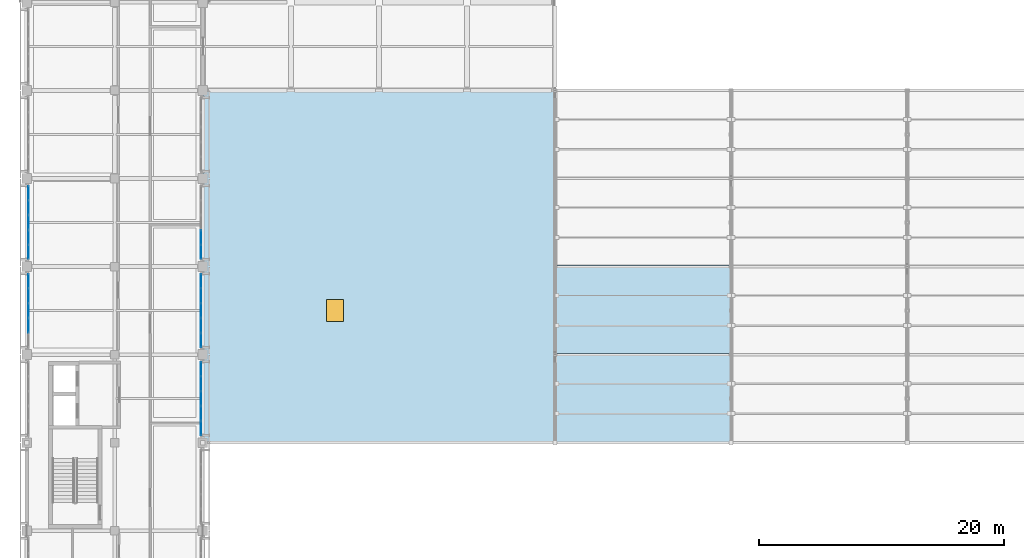
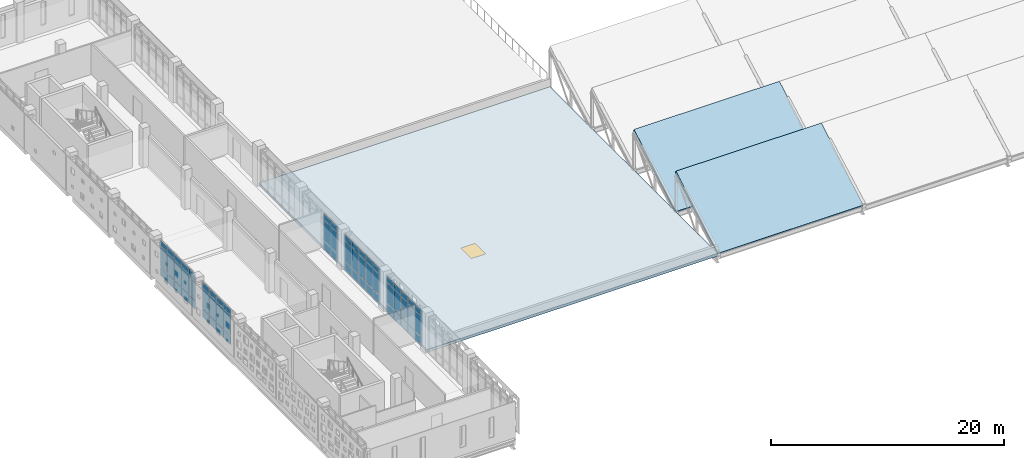
# One storey, part 26 of 51: 63 plates, 3 slabs, 1 window, 1 opening, 5 elements without a shape of their own.
"""IFC4 building model written with IfcOpenShell, lengths in metres."""

from ifc_helpers import new_model, si_unit, direction, frame, origin, origin_2d, place, context, subcontext, project, spatial, polyline, rectangle, outline, extrude, material, layer, layer_set, type_object, element, fill, aggregate, save


model = new_model("IFC4")

# Units and contexts
model_context = context("Model", 3, precision=1e-05, world=origin(), true_north=direction((0.0, 1.0)))
body_context = subcontext(model_context, "Body", "Model", "MODEL_VIEW")
ifc_project = project(units=[si_unit("LENGTHUNIT", "METRE"), si_unit("AREAUNIT", "SQUARE_METRE"), si_unit("VOLUMEUNIT", "CUBIC_METRE"), si_unit("PLANEANGLEUNIT", "RADIAN"), si_unit("MASSUNIT", "GRAM", prefix="KILO")], contexts=[model_context])

# Site, building, storey
site_placement = place(None, origin())
site = spatial("IfcSite", under=ifc_project, at=site_placement, CompositionType="ELEMENT")
building_placement = place(site_placement, origin())
building = spatial("IfcBuilding", under=site, at=building_placement, Name="Valkovuoma Quantum and Materials Research Institute", CompositionType="ELEMENT")
storey_placement = place(building_placement, frame((0.0, 0.0, 17.280029296875)))
storey = spatial("IfcBuildingStorey", under=building, at=storey_placement, Name="L04", CompositionType="ELEMENT", Elevation=17.280029296875)

# Curtain wall, plates
ifc_material_1 = material(Name="Thermally broken aluminium and triple low-E glazing", Category="aluminium")
ifc_layer_1 = layer(ifc_material_1, 0.219970703125)
ifc_layer_set_1 = layer_set([ifc_layer_1], Name="Thermally broken aluminium and triple low-E glazing")
curtain_wall_type = type_object("IfcCurtainWallType", Name="CW-CW-01", PredefinedType="NOTDEFINED", material=ifc_layer_set_1)
curtain_wall_1_placement = place(storey_placement, origin())
curtain_wall_1 = element("IfcCurtainWall", 1, at=curtain_wall_1_placement, inside=storey, type_object=curtain_wall_type, Name="L04 curtain wall 043", PredefinedType="NOTDEFINED")
ifc_material_2 = material(Name="Triple low-E argon insulating glass", Category="glass")
ifc_layer_2 = layer(ifc_material_2, 0.035888671875)
ifc_layer_set_2 = layer_set([ifc_layer_2], Name="Triple low-E argon insulating glass")
plate_type_1 = type_object("IfcPlateType", Name="CWPanel-CWP-01", PredefinedType="CURTAIN_PANEL", material=ifc_layer_set_2)
plate_1_placement = place(storey_placement, frame((0.14990234375, 45.582763671875, 0.06494140625), z_axis=(0.0, 0.0, 1.0), x_axis=(0.0, 1.0, 0.0)))
plate_1 = element("IfcPlate", 2, at=plate_1_placement, type_object=plate_type_1, Name="CW-01 panel 2.1", PredefinedType="CURTAIN_PANEL", context=body_context, shape_type="SweptSolid", body=[
    extrude(rectangle(XDim=1.152099609375, YDim=0.035888671875, at=origin_2d()), origin(), (0.0, 0.0, 1.0), 0.8525390625),
])
plate_2_placement = place(storey_placement, frame((0.14990234375, 45.582763671875, 0.982421875), z_axis=(0.0, 0.0, 1.0), x_axis=(0.0, 1.0, 0.0)))
plate_2 = element("IfcPlate", 3, at=plate_2_placement, type_object=plate_type_1, Name="CW-01 panel 2.2", PredefinedType="CURTAIN_PANEL", context=body_context, shape_type="SweptSolid", body=[
    extrude(rectangle(XDim=1.152099609375, YDim=0.035888671875, at=origin_2d()), origin(), (0.0, 0.0, 1.0), 2.14501953125),
])
plate_3_placement = place(storey_placement, frame((0.14990234375, 45.582763671875, 3.1923828125), z_axis=(0.0, 0.0, 1.0), x_axis=(0.0, 1.0, 0.0)))
plate_3 = element("IfcPlate", 4, at=plate_3_placement, type_object=plate_type_1, Name="CW-01 panel 2.3", PredefinedType="CURTAIN_PANEL", context=body_context, shape_type="SweptSolid", body=[
    extrude(rectangle(XDim=1.152099609375, YDim=0.035888671875, at=origin_2d()), origin(), (0.0, 0.0, 1.0), 0.552490234375),
])
plate_4_placement = place(storey_placement, frame((0.14990234375, 46.800048828125, 0.06494140625), z_axis=(0.0, 0.0, 1.0), x_axis=(0.0, 1.0, 0.0)))
plate_4 = element("IfcPlate", 5, at=plate_4_placement, type_object=plate_type_1, Name="CW-01 panel 3.1", PredefinedType="CURTAIN_PANEL", context=body_context, shape_type="SweptSolid", body=[
    extrude(rectangle(XDim=1.152099609375, YDim=0.035888671875, at=origin_2d()), origin(), (0.0, 0.0, 1.0), 0.8525390625),
])
plate_5_placement = place(storey_placement, frame((0.14990234375, 46.800048828125, 0.982421875), z_axis=(0.0, 0.0, 1.0), x_axis=(0.0, 1.0, 0.0)))
plate_5 = element("IfcPlate", 6, at=plate_5_placement, type_object=plate_type_1, Name="CW-01 panel 3.2", PredefinedType="CURTAIN_PANEL", context=body_context, shape_type="SweptSolid", body=[
    extrude(rectangle(XDim=1.152099609375, YDim=0.035888671875, at=origin_2d()), origin(), (0.0, 0.0, 1.0), 2.14501953125),
])
plate_6_placement = place(storey_placement, frame((0.14990234375, 46.800048828125, 3.1923828125), z_axis=(0.0, 0.0, 1.0), x_axis=(0.0, 1.0, 0.0)))
plate_6 = element("IfcPlate", 7, at=plate_6_placement, type_object=plate_type_1, Name="CW-01 panel 3.3", PredefinedType="CURTAIN_PANEL", context=body_context, shape_type="SweptSolid", body=[
    extrude(rectangle(XDim=1.152099609375, YDim=0.035888671875, at=origin_2d()), origin(), (0.0, 0.0, 1.0), 0.552490234375),
])
plate_7_placement = place(storey_placement, frame((0.14990234375, 48.01708984375, 0.06494140625), z_axis=(0.0, 0.0, 1.0), x_axis=(0.0, 1.0, 0.0)))
plate_7 = element("IfcPlate", 8, at=plate_7_placement, type_object=plate_type_1, Name="CW-01 panel 4.1", PredefinedType="CURTAIN_PANEL", context=body_context, shape_type="SweptSolid", body=[
    extrude(rectangle(XDim=1.152099609375, YDim=0.035888671875, at=origin_2d()), origin(), (0.0, 0.0, 1.0), 0.8525390625),
])
plate_8_placement = place(storey_placement, frame((0.14990234375, 48.01708984375, 0.982421875), z_axis=(0.0, 0.0, 1.0), x_axis=(0.0, 1.0, 0.0)))
plate_8 = element("IfcPlate", 9, at=plate_8_placement, type_object=plate_type_1, Name="CW-01 panel 4.2", PredefinedType="CURTAIN_PANEL", context=body_context, shape_type="SweptSolid", body=[
    extrude(rectangle(XDim=1.152099609375, YDim=0.035888671875, at=origin_2d()), origin(), (0.0, 0.0, 1.0), 2.14501953125),
])
plate_9_placement = place(storey_placement, frame((0.14990234375, 48.01708984375, 3.1923828125), z_axis=(0.0, 0.0, 1.0), x_axis=(0.0, 1.0, 0.0)))
plate_9 = element("IfcPlate", 10, at=plate_9_placement, type_object=plate_type_1, Name="CW-01 panel 4.3", PredefinedType="CURTAIN_PANEL", context=body_context, shape_type="SweptSolid", body=[
    extrude(rectangle(XDim=1.152099609375, YDim=0.035888671875, at=origin_2d()), origin(), (0.0, 0.0, 1.0), 0.552490234375),
])
plate_10_placement = place(storey_placement, frame((0.14990234375, 49.218017578125, 0.06494140625), z_axis=(0.0, 0.0, 1.0), x_axis=(0.0, 1.0, 0.0)))
plate_10 = element("IfcPlate", 11, at=plate_10_placement, type_object=plate_type_1, Name="CW-01 panel 5.1", PredefinedType="CURTAIN_PANEL", context=body_context, shape_type="SweptSolid", body=[
    extrude(rectangle(XDim=1.11962890625, YDim=0.035888671875, at=origin_2d()), origin(), (0.0, 0.0, 1.0), 0.8525390625),
])
plate_11_placement = place(storey_placement, frame((0.14990234375, 49.218017578125, 0.982421875), z_axis=(0.0, 0.0, 1.0), x_axis=(0.0, 1.0, 0.0)))
plate_11 = element("IfcPlate", 12, at=plate_11_placement, type_object=plate_type_1, Name="CW-01 panel 5.2", PredefinedType="CURTAIN_PANEL", context=body_context, shape_type="SweptSolid", body=[
    extrude(rectangle(XDim=1.11962890625, YDim=0.035888671875, at=origin_2d()), origin(), (0.0, 0.0, 1.0), 2.14501953125),
])
plate_12_placement = place(storey_placement, frame((0.14990234375, 49.218017578125, 3.1923828125), z_axis=(0.0, 0.0, 1.0), x_axis=(0.0, 1.0, 0.0)))
plate_12 = element("IfcPlate", 13, at=plate_12_placement, type_object=plate_type_1, Name="CW-01 panel 5.3", PredefinedType="CURTAIN_PANEL", context=body_context, shape_type="SweptSolid", body=[
    extrude(rectangle(XDim=1.11962890625, YDim=0.035888671875, at=origin_2d()), origin(), (0.0, 0.0, 1.0), 0.552490234375),
])
aggregate(curtain_wall_1, [plate_1, plate_2, plate_3, plate_4, plate_5, plate_6, plate_7, plate_8, plate_9, plate_10, plate_11, plate_12])

curtain_wall_2_placement = place(storey_placement, origin())
curtain_wall_2 = element("IfcCurtainWall", 14, at=curtain_wall_2_placement, inside=storey, type_object=curtain_wall_type, Name="L04 curtain wall 045", PredefinedType="NOTDEFINED")
plate_13_placement = place(storey_placement, frame((0.14990234375, 51.58203125, 0.06494140625), z_axis=(0.0, 0.0, 1.0), x_axis=(0.0, 1.0, 0.0)))
plate_13 = element("IfcPlate", 15, at=plate_13_placement, type_object=plate_type_1, Name="CW-01 panel 1.1", PredefinedType="CURTAIN_PANEL", context=body_context, shape_type="SweptSolid", body=[
    extrude(rectangle(XDim=1.11962890625, YDim=0.035888671875, at=origin_2d()), origin(), (0.0, 0.0, 1.0), 0.8525390625),
])
plate_14_placement = place(storey_placement, frame((0.14990234375, 51.58203125, 0.982421875), z_axis=(0.0, 0.0, 1.0), x_axis=(0.0, 1.0, 0.0)))
plate_14 = element("IfcPlate", 16, at=plate_14_placement, type_object=plate_type_1, Name="CW-01 panel 1.2", PredefinedType="CURTAIN_PANEL", context=body_context, shape_type="SweptSolid", body=[
    extrude(rectangle(XDim=1.11962890625, YDim=0.035888671875, at=origin_2d()), origin(), (0.0, 0.0, 1.0), 2.14501953125),
])
plate_15_placement = place(storey_placement, frame((0.14990234375, 51.58203125, 3.1923828125), z_axis=(0.0, 0.0, 1.0), x_axis=(0.0, 1.0, 0.0)))
plate_15 = element("IfcPlate", 17, at=plate_15_placement, type_object=plate_type_1, Name="CW-01 panel 1.3", PredefinedType="CURTAIN_PANEL", context=body_context, shape_type="SweptSolid", body=[
    extrude(rectangle(XDim=1.11962890625, YDim=0.035888671875, at=origin_2d()), origin(), (0.0, 0.0, 1.0), 0.552490234375),
])
plate_16_placement = place(storey_placement, frame((0.14990234375, 52.782958984375, 0.06494140625), z_axis=(0.0, 0.0, 1.0), x_axis=(0.0, 1.0, 0.0)))
plate_16 = element("IfcPlate", 18, at=plate_16_placement, type_object=plate_type_1, Name="CW-01 panel 2.1", PredefinedType="CURTAIN_PANEL", context=body_context, shape_type="SweptSolid", body=[
    extrude(rectangle(XDim=1.152099609375, YDim=0.035888671875, at=origin_2d()), origin(), (0.0, 0.0, 1.0), 0.8525390625),
])
plate_17_placement = place(storey_placement, frame((0.14990234375, 52.782958984375, 0.982421875), z_axis=(0.0, 0.0, 1.0), x_axis=(0.0, 1.0, 0.0)))
plate_17 = element("IfcPlate", 19, at=plate_17_placement, type_object=plate_type_1, Name="CW-01 panel 2.2", PredefinedType="CURTAIN_PANEL", context=body_context, shape_type="SweptSolid", body=[
    extrude(rectangle(XDim=1.152099609375, YDim=0.035888671875, at=origin_2d()), origin(), (0.0, 0.0, 1.0), 2.14501953125),
])
plate_18_placement = place(storey_placement, frame((0.14990234375, 52.782958984375, 3.1923828125), z_axis=(0.0, 0.0, 1.0), x_axis=(0.0, 1.0, 0.0)))
plate_18 = element("IfcPlate", 20, at=plate_18_placement, type_object=plate_type_1, Name="CW-01 panel 2.3", PredefinedType="CURTAIN_PANEL", context=body_context, shape_type="SweptSolid", body=[
    extrude(rectangle(XDim=1.152099609375, YDim=0.035888671875, at=origin_2d()), origin(), (0.0, 0.0, 1.0), 0.552490234375),
])
plate_19_placement = place(storey_placement, frame((0.14990234375, 54.0, 0.06494140625), z_axis=(0.0, 0.0, 1.0), x_axis=(0.0, 1.0, 0.0)))
plate_19 = element("IfcPlate", 21, at=plate_19_placement, type_object=plate_type_1, Name="CW-01 panel 3.1", PredefinedType="CURTAIN_PANEL", context=body_context, shape_type="SweptSolid", body=[
    extrude(rectangle(XDim=1.152099609375, YDim=0.035888671875, at=origin_2d()), origin(), (0.0, 0.0, 1.0), 0.8525390625),
])
plate_20_placement = place(storey_placement, frame((0.14990234375, 54.0, 0.982421875), z_axis=(0.0, 0.0, 1.0), x_axis=(0.0, 1.0, 0.0)))
plate_20 = element("IfcPlate", 22, at=plate_20_placement, type_object=plate_type_1, Name="CW-01 panel 3.2", PredefinedType="CURTAIN_PANEL", context=body_context, shape_type="SweptSolid", body=[
    extrude(rectangle(XDim=1.152099609375, YDim=0.035888671875, at=origin_2d()), origin(), (0.0, 0.0, 1.0), 2.14501953125),
])
plate_21_placement = place(storey_placement, frame((0.14990234375, 54.0, 3.1923828125), z_axis=(0.0, 0.0, 1.0), x_axis=(0.0, 1.0, 0.0)))
plate_21 = element("IfcPlate", 23, at=plate_21_placement, type_object=plate_type_1, Name="CW-01 panel 3.3", PredefinedType="CURTAIN_PANEL", context=body_context, shape_type="SweptSolid", body=[
    extrude(rectangle(XDim=1.152099609375, YDim=0.035888671875, at=origin_2d()), origin(), (0.0, 0.0, 1.0), 0.552490234375),
])
plate_22_placement = place(storey_placement, frame((0.14990234375, 55.217041015625, 0.06494140625), z_axis=(0.0, 0.0, 1.0), x_axis=(0.0, 1.0, 0.0)))
plate_22 = element("IfcPlate", 24, at=plate_22_placement, type_object=plate_type_1, Name="CW-01 panel 4.1", PredefinedType="CURTAIN_PANEL", context=body_context, shape_type="SweptSolid", body=[
    extrude(rectangle(XDim=1.152099609375, YDim=0.035888671875, at=origin_2d()), origin(), (0.0, 0.0, 1.0), 0.8525390625),
])
plate_23_placement = place(storey_placement, frame((0.14990234375, 55.217041015625, 0.982421875), z_axis=(0.0, 0.0, 1.0), x_axis=(0.0, 1.0, 0.0)))
plate_23 = element("IfcPlate", 25, at=plate_23_placement, type_object=plate_type_1, Name="CW-01 panel 4.2", PredefinedType="CURTAIN_PANEL", context=body_context, shape_type="SweptSolid", body=[
    extrude(rectangle(XDim=1.152099609375, YDim=0.035888671875, at=origin_2d()), origin(), (0.0, 0.0, 1.0), 2.14501953125),
])
plate_24_placement = place(storey_placement, frame((0.14990234375, 55.217041015625, 3.1923828125), z_axis=(0.0, 0.0, 1.0), x_axis=(0.0, 1.0, 0.0)))
plate_24 = element("IfcPlate", 26, at=plate_24_placement, type_object=plate_type_1, Name="CW-01 panel 4.3", PredefinedType="CURTAIN_PANEL", context=body_context, shape_type="SweptSolid", body=[
    extrude(rectangle(XDim=1.152099609375, YDim=0.035888671875, at=origin_2d()), origin(), (0.0, 0.0, 1.0), 0.552490234375),
])
plate_25_placement = place(storey_placement, frame((0.14990234375, 56.41796875, 0.06494140625), z_axis=(0.0, 0.0, 1.0), x_axis=(0.0, 1.0, 0.0)))
plate_25 = element("IfcPlate", 27, at=plate_25_placement, type_object=plate_type_1, Name="CW-01 panel 5.1", PredefinedType="CURTAIN_PANEL", context=body_context, shape_type="SweptSolid", body=[
    extrude(rectangle(XDim=1.11962890625, YDim=0.035888671875, at=origin_2d()), origin(), (0.0, 0.0, 1.0), 0.8525390625),
])
plate_26_placement = place(storey_placement, frame((0.14990234375, 56.41796875, 0.982421875), z_axis=(0.0, 0.0, 1.0), x_axis=(0.0, 1.0, 0.0)))
plate_26 = element("IfcPlate", 28, at=plate_26_placement, type_object=plate_type_1, Name="CW-01 panel 5.2", PredefinedType="CURTAIN_PANEL", context=body_context, shape_type="SweptSolid", body=[
    extrude(rectangle(XDim=1.11962890625, YDim=0.035888671875, at=origin_2d()), origin(), (0.0, 0.0, 1.0), 2.14501953125),
])
plate_27_placement = place(storey_placement, frame((0.14990234375, 56.41796875, 3.1923828125), z_axis=(0.0, 0.0, 1.0), x_axis=(0.0, 1.0, 0.0)))
plate_27 = element("IfcPlate", 29, at=plate_27_placement, type_object=plate_type_1, Name="CW-01 panel 5.3", PredefinedType="CURTAIN_PANEL", context=body_context, shape_type="SweptSolid", body=[
    extrude(rectangle(XDim=1.11962890625, YDim=0.035888671875, at=origin_2d()), origin(), (0.0, 0.0, 1.0), 0.552490234375),
])
aggregate(curtain_wall_2, [plate_13, plate_14, plate_15, plate_16, plate_17, plate_18, plate_19, plate_20, plate_21, plate_22, plate_23, plate_24, plate_25, plate_26, plate_27])

curtain_wall_3_placement = place(storey_placement, origin())
curtain_wall_3 = element("IfcCurtainWall", 30, at=curtain_wall_3_placement, inside=storey, type_object=curtain_wall_type, Name="L04 curtain wall 042", PredefinedType="NOTDEFINED")
ifc_material_3 = material(Name="Triple low-E argon insulating glass", Category="glass")
ifc_layer_3 = layer(ifc_material_3, 0.0419921875)
ifc_layer_set_3 = layer_set([ifc_layer_3], Name="Triple low-E argon insulating glass")
plate_type_2 = type_object("IfcPlateType", Name="CWPanel-CWP-02", PredefinedType="CURTAIN_PANEL", material=ifc_layer_set_3)
plate_28_placement = place(storey_placement, frame((14.25, 37.181884765625, 0.06494140625), z_axis=(0.0, 0.0, 1.0), x_axis=(0.0, 1.0, 0.0)))
plate_28 = element("IfcPlate", 31, at=plate_28_placement, type_object=plate_type_2, Name="CW-01 panel 1.1", PredefinedType="CURTAIN_PANEL", context=body_context, shape_type="SweptSolid", body=[
    extrude(rectangle(XDim=1.11962890625, YDim=0.0419921875, at=origin_2d()), origin(), (0.0, 0.0, 1.0), 0.8525390625),
])
plate_29_placement = place(storey_placement, frame((14.25, 37.181884765625, 0.982421875), z_axis=(0.0, 0.0, 1.0), x_axis=(0.0, 1.0, 0.0)))
plate_29 = element("IfcPlate", 32, at=plate_29_placement, type_object=plate_type_2, Name="CW-01 panel 1.2", PredefinedType="CURTAIN_PANEL", context=body_context, shape_type="SweptSolid", body=[
    extrude(rectangle(XDim=1.11962890625, YDim=0.0419921875, at=origin_2d()), origin(), (0.0, 0.0, 1.0), 2.14501953125),
])
plate_30_placement = place(storey_placement, frame((14.25, 37.181884765625, 3.1923828125), z_axis=(0.0, 0.0, 1.0), x_axis=(0.0, 1.0, 0.0)))
plate_30 = element("IfcPlate", 33, at=plate_30_placement, type_object=plate_type_2, Name="CW-01 panel 1.3", PredefinedType="CURTAIN_PANEL", context=body_context, shape_type="SweptSolid", body=[
    extrude(rectangle(XDim=1.11962890625, YDim=0.0419921875, at=origin_2d()), origin(), (0.0, 0.0, 1.0), 0.552490234375),
])
plate_31_placement = place(storey_placement, frame((14.25, 38.3828125, 0.06494140625), z_axis=(0.0, 0.0, 1.0), x_axis=(0.0, 1.0, 0.0)))
plate_31 = element("IfcPlate", 34, at=plate_31_placement, type_object=plate_type_2, Name="CW-01 panel 2.1", PredefinedType="CURTAIN_PANEL", context=body_context, shape_type="SweptSolid", body=[
    extrude(rectangle(XDim=1.152099609375, YDim=0.0419921875, at=origin_2d()), origin(), (0.0, 0.0, 1.0), 0.8525390625),
])
plate_32_placement = place(storey_placement, frame((14.25, 38.3828125, 0.982421875), z_axis=(0.0, 0.0, 1.0), x_axis=(0.0, 1.0, 0.0)))
plate_32 = element("IfcPlate", 35, at=plate_32_placement, type_object=plate_type_2, Name="CW-01 panel 2.2", PredefinedType="CURTAIN_PANEL", context=body_context, shape_type="SweptSolid", body=[
    extrude(rectangle(XDim=1.152099609375, YDim=0.0419921875, at=origin_2d()), origin(), (0.0, 0.0, 1.0), 2.14501953125),
])
plate_33_placement = place(storey_placement, frame((14.25, 38.3828125, 3.1923828125), z_axis=(0.0, 0.0, 1.0), x_axis=(0.0, 1.0, 0.0)))
plate_33 = element("IfcPlate", 36, at=plate_33_placement, type_object=plate_type_2, Name="CW-01 panel 2.3", PredefinedType="CURTAIN_PANEL", context=body_context, shape_type="SweptSolid", body=[
    extrude(rectangle(XDim=1.152099609375, YDim=0.0419921875, at=origin_2d()), origin(), (0.0, 0.0, 1.0), 0.552490234375),
])
plate_34_placement = place(storey_placement, frame((14.25, 39.60009765625, 0.06494140625), z_axis=(0.0, 0.0, 1.0), x_axis=(0.0, 1.0, 0.0)))
plate_34 = element("IfcPlate", 37, at=plate_34_placement, type_object=plate_type_2, Name="CW-01 panel 3.1", PredefinedType="CURTAIN_PANEL", context=body_context, shape_type="SweptSolid", body=[
    extrude(rectangle(XDim=1.152099609375, YDim=0.0419921875, at=origin_2d()), origin(), (0.0, 0.0, 1.0), 0.8525390625),
])
plate_35_placement = place(storey_placement, frame((14.25, 39.60009765625, 0.982421875), z_axis=(0.0, 0.0, 1.0), x_axis=(0.0, 1.0, 0.0)))
plate_35 = element("IfcPlate", 38, at=plate_35_placement, type_object=plate_type_2, Name="CW-01 panel 3.2", PredefinedType="CURTAIN_PANEL", context=body_context, shape_type="SweptSolid", body=[
    extrude(rectangle(XDim=1.152099609375, YDim=0.0419921875, at=origin_2d()), origin(), (0.0, 0.0, 1.0), 2.14501953125),
])
plate_36_placement = place(storey_placement, frame((14.25, 39.60009765625, 3.1923828125), z_axis=(0.0, 0.0, 1.0), x_axis=(0.0, 1.0, 0.0)))
plate_36 = element("IfcPlate", 39, at=plate_36_placement, type_object=plate_type_2, Name="CW-01 panel 3.3", PredefinedType="CURTAIN_PANEL", context=body_context, shape_type="SweptSolid", body=[
    extrude(rectangle(XDim=1.152099609375, YDim=0.0419921875, at=origin_2d()), origin(), (0.0, 0.0, 1.0), 0.552490234375),
])
plate_37_placement = place(storey_placement, frame((14.25, 40.817138671875, 0.06494140625), z_axis=(0.0, 0.0, 1.0), x_axis=(0.0, 1.0, 0.0)))
plate_37 = element("IfcPlate", 40, at=plate_37_placement, type_object=plate_type_2, Name="CW-01 panel 4.1", PredefinedType="CURTAIN_PANEL", context=body_context, shape_type="SweptSolid", body=[
    extrude(rectangle(XDim=1.152099609375, YDim=0.0419921875, at=origin_2d()), origin(), (0.0, 0.0, 1.0), 0.8525390625),
])
plate_38_placement = place(storey_placement, frame((14.25, 40.817138671875, 0.982421875), z_axis=(0.0, 0.0, 1.0), x_axis=(0.0, 1.0, 0.0)))
plate_38 = element("IfcPlate", 41, at=plate_38_placement, type_object=plate_type_2, Name="CW-01 panel 4.2", PredefinedType="CURTAIN_PANEL", context=body_context, shape_type="SweptSolid", body=[
    extrude(rectangle(XDim=1.152099609375, YDim=0.0419921875, at=origin_2d()), origin(), (0.0, 0.0, 1.0), 2.14501953125),
])
plate_39_placement = place(storey_placement, frame((14.25, 40.817138671875, 3.1923828125), z_axis=(0.0, 0.0, 1.0), x_axis=(0.0, 1.0, 0.0)))
plate_39 = element("IfcPlate", 42, at=plate_39_placement, type_object=plate_type_2, Name="CW-01 panel 4.3", PredefinedType="CURTAIN_PANEL", context=body_context, shape_type="SweptSolid", body=[
    extrude(rectangle(XDim=1.152099609375, YDim=0.0419921875, at=origin_2d()), origin(), (0.0, 0.0, 1.0), 0.552490234375),
])
plate_40_placement = place(storey_placement, frame((14.25, 42.01806640625, 0.06494140625), z_axis=(0.0, 0.0, 1.0), x_axis=(0.0, 1.0, 0.0)))
plate_40 = element("IfcPlate", 43, at=plate_40_placement, type_object=plate_type_2, Name="CW-01 panel 5.1", PredefinedType="CURTAIN_PANEL", context=body_context, shape_type="SweptSolid", body=[
    extrude(rectangle(XDim=1.11962890625, YDim=0.0419921875, at=origin_2d()), origin(), (0.0, 0.0, 1.0), 0.8525390625),
])
plate_41_placement = place(storey_placement, frame((14.25, 42.01806640625, 0.982421875), z_axis=(0.0, 0.0, 1.0), x_axis=(0.0, 1.0, 0.0)))
plate_41 = element("IfcPlate", 44, at=plate_41_placement, type_object=plate_type_2, Name="CW-01 panel 5.2", PredefinedType="CURTAIN_PANEL", context=body_context, shape_type="SweptSolid", body=[
    extrude(rectangle(XDim=1.11962890625, YDim=0.0419921875, at=origin_2d()), origin(), (0.0, 0.0, 1.0), 2.14501953125),
])
plate_42_placement = place(storey_placement, frame((14.25, 42.01806640625, 3.1923828125), z_axis=(0.0, 0.0, 1.0), x_axis=(0.0, 1.0, 0.0)))
plate_42 = element("IfcPlate", 45, at=plate_42_placement, type_object=plate_type_2, Name="CW-01 panel 5.3", PredefinedType="CURTAIN_PANEL", context=body_context, shape_type="SweptSolid", body=[
    extrude(rectangle(XDim=1.11962890625, YDim=0.0419921875, at=origin_2d()), origin(), (0.0, 0.0, 1.0), 0.552490234375),
])
aggregate(curtain_wall_3, [plate_28, plate_29, plate_30, plate_31, plate_32, plate_33, plate_34, plate_35, plate_36, plate_37, plate_38, plate_39, plate_40, plate_41, plate_42])

curtain_wall_4_placement = place(storey_placement, origin())
curtain_wall_4 = element("IfcCurtainWall", 46, at=curtain_wall_4_placement, inside=storey, type_object=curtain_wall_type, Name="L04 curtain wall 044", PredefinedType="NOTDEFINED")
plate_43_placement = place(storey_placement, frame((14.25, 44.3818359375, 0.06494140625), z_axis=(0.0, 0.0, 1.0), x_axis=(0.0, 1.0, 0.0)))
plate_43 = element("IfcPlate", 47, at=plate_43_placement, type_object=plate_type_2, Name="CW-01 panel 1.1", PredefinedType="CURTAIN_PANEL", context=body_context, shape_type="SweptSolid", body=[
    extrude(rectangle(XDim=1.11962890625, YDim=0.0419921875, at=origin_2d()), origin(), (0.0, 0.0, 1.0), 0.8525390625),
])
plate_44_placement = place(storey_placement, frame((14.25, 44.3818359375, 0.982421875), z_axis=(0.0, 0.0, 1.0), x_axis=(0.0, 1.0, 0.0)))
plate_44 = element("IfcPlate", 48, at=plate_44_placement, type_object=plate_type_2, Name="CW-01 panel 1.2", PredefinedType="CURTAIN_PANEL", context=body_context, shape_type="SweptSolid", body=[
    extrude(rectangle(XDim=1.11962890625, YDim=0.0419921875, at=origin_2d()), origin(), (0.0, 0.0, 1.0), 2.14501953125),
])
plate_45_placement = place(storey_placement, frame((14.25, 44.3818359375, 3.1923828125), z_axis=(0.0, 0.0, 1.0), x_axis=(0.0, 1.0, 0.0)))
plate_45 = element("IfcPlate", 49, at=plate_45_placement, type_object=plate_type_2, Name="CW-01 panel 1.3", PredefinedType="CURTAIN_PANEL", context=body_context, shape_type="SweptSolid", body=[
    extrude(rectangle(XDim=1.11962890625, YDim=0.0419921875, at=origin_2d()), origin(), (0.0, 0.0, 1.0), 0.552490234375),
])
plate_46_placement = place(storey_placement, frame((14.25, 45.582763671875, 0.06494140625), z_axis=(0.0, 0.0, 1.0), x_axis=(0.0, 1.0, 0.0)))
plate_46 = element("IfcPlate", 50, at=plate_46_placement, type_object=plate_type_2, Name="CW-01 panel 2.1", PredefinedType="CURTAIN_PANEL", context=body_context, shape_type="SweptSolid", body=[
    extrude(rectangle(XDim=1.152099609375, YDim=0.0419921875, at=origin_2d()), origin(), (0.0, 0.0, 1.0), 0.8525390625),
])
plate_47_placement = place(storey_placement, frame((14.25, 45.582763671875, 0.982421875), z_axis=(0.0, 0.0, 1.0), x_axis=(0.0, 1.0, 0.0)))
plate_47 = element("IfcPlate", 51, at=plate_47_placement, type_object=plate_type_2, Name="CW-01 panel 2.2", PredefinedType="CURTAIN_PANEL", context=body_context, shape_type="SweptSolid", body=[
    extrude(rectangle(XDim=1.152099609375, YDim=0.0419921875, at=origin_2d()), origin(), (0.0, 0.0, 1.0), 2.14501953125),
])
plate_48_placement = place(storey_placement, frame((14.25, 45.582763671875, 3.1923828125), z_axis=(0.0, 0.0, 1.0), x_axis=(0.0, 1.0, 0.0)))
plate_48 = element("IfcPlate", 52, at=plate_48_placement, type_object=plate_type_2, Name="CW-01 panel 2.3", PredefinedType="CURTAIN_PANEL", context=body_context, shape_type="SweptSolid", body=[
    extrude(rectangle(XDim=1.152099609375, YDim=0.0419921875, at=origin_2d()), origin(), (0.0, 0.0, 1.0), 0.552490234375),
])
plate_49_placement = place(storey_placement, frame((14.25, 46.800048828125, 0.06494140625), z_axis=(0.0, 0.0, 1.0), x_axis=(0.0, 1.0, 0.0)))
plate_49 = element("IfcPlate", 53, at=plate_49_placement, type_object=plate_type_2, Name="CW-01 panel 3.1", PredefinedType="CURTAIN_PANEL", context=body_context, shape_type="SweptSolid", body=[
    extrude(rectangle(XDim=1.152099609375, YDim=0.0419921875, at=origin_2d()), origin(), (0.0, 0.0, 1.0), 0.8525390625),
])
plate_50_placement = place(storey_placement, frame((14.25, 46.800048828125, 0.982421875), z_axis=(0.0, 0.0, 1.0), x_axis=(0.0, 1.0, 0.0)))
plate_50 = element("IfcPlate", 54, at=plate_50_placement, type_object=plate_type_2, Name="CW-01 panel 3.2", PredefinedType="CURTAIN_PANEL", context=body_context, shape_type="SweptSolid", body=[
    extrude(rectangle(XDim=1.152099609375, YDim=0.0419921875, at=origin_2d()), origin(), (0.0, 0.0, 1.0), 2.14501953125),
])
plate_51_placement = place(storey_placement, frame((14.25, 46.800048828125, 3.1923828125), z_axis=(0.0, 0.0, 1.0), x_axis=(0.0, 1.0, 0.0)))
plate_51 = element("IfcPlate", 55, at=plate_51_placement, type_object=plate_type_2, Name="CW-01 panel 3.3", PredefinedType="CURTAIN_PANEL", context=body_context, shape_type="SweptSolid", body=[
    extrude(rectangle(XDim=1.152099609375, YDim=0.0419921875, at=origin_2d()), origin(), (0.0, 0.0, 1.0), 0.552490234375),
])
plate_52_placement = place(storey_placement, frame((14.25, 48.01708984375, 0.06494140625), z_axis=(0.0, 0.0, 1.0), x_axis=(0.0, 1.0, 0.0)))
plate_52 = element("IfcPlate", 56, at=plate_52_placement, type_object=plate_type_2, Name="CW-01 panel 4.1", PredefinedType="CURTAIN_PANEL", context=body_context, shape_type="SweptSolid", body=[
    extrude(rectangle(XDim=1.152099609375, YDim=0.0419921875, at=origin_2d()), origin(), (0.0, 0.0, 1.0), 0.8525390625),
])
plate_53_placement = place(storey_placement, frame((14.25, 48.01708984375, 0.982421875), z_axis=(0.0, 0.0, 1.0), x_axis=(0.0, 1.0, 0.0)))
plate_53 = element("IfcPlate", 57, at=plate_53_placement, type_object=plate_type_2, Name="CW-01 panel 4.2", PredefinedType="CURTAIN_PANEL", context=body_context, shape_type="SweptSolid", body=[
    extrude(rectangle(XDim=1.152099609375, YDim=0.0419921875, at=origin_2d()), origin(), (0.0, 0.0, 1.0), 2.14501953125),
])
plate_54_placement = place(storey_placement, frame((14.25, 48.01708984375, 3.1923828125), z_axis=(0.0, 0.0, 1.0), x_axis=(0.0, 1.0, 0.0)))
plate_54 = element("IfcPlate", 58, at=plate_54_placement, type_object=plate_type_2, Name="CW-01 panel 4.3", PredefinedType="CURTAIN_PANEL", context=body_context, shape_type="SweptSolid", body=[
    extrude(rectangle(XDim=1.152099609375, YDim=0.0419921875, at=origin_2d()), origin(), (0.0, 0.0, 1.0), 0.552490234375),
])
plate_55_placement = place(storey_placement, frame((14.25, 49.218017578125, 0.06494140625), z_axis=(0.0, 0.0, 1.0), x_axis=(0.0, 1.0, 0.0)))
plate_55 = element("IfcPlate", 59, at=plate_55_placement, type_object=plate_type_2, Name="CW-01 panel 5.1", PredefinedType="CURTAIN_PANEL", context=body_context, shape_type="SweptSolid", body=[
    extrude(rectangle(XDim=1.11962890625, YDim=0.0419921875, at=origin_2d()), origin(), (0.0, 0.0, 1.0), 0.8525390625),
])
plate_56_placement = place(storey_placement, frame((14.25, 49.218017578125, 0.982421875), z_axis=(0.0, 0.0, 1.0), x_axis=(0.0, 1.0, 0.0)))
plate_56 = element("IfcPlate", 60, at=plate_56_placement, type_object=plate_type_2, Name="CW-01 panel 5.2", PredefinedType="CURTAIN_PANEL", context=body_context, shape_type="SweptSolid", body=[
    extrude(rectangle(XDim=1.11962890625, YDim=0.0419921875, at=origin_2d()), origin(), (0.0, 0.0, 1.0), 2.14501953125),
])
plate_57_placement = place(storey_placement, frame((14.25, 49.218017578125, 3.1923828125), z_axis=(0.0, 0.0, 1.0), x_axis=(0.0, 1.0, 0.0)))
plate_57 = element("IfcPlate", 61, at=plate_57_placement, type_object=plate_type_2, Name="CW-01 panel 5.3", PredefinedType="CURTAIN_PANEL", context=body_context, shape_type="SweptSolid", body=[
    extrude(rectangle(XDim=1.11962890625, YDim=0.0419921875, at=origin_2d()), origin(), (0.0, 0.0, 1.0), 0.552490234375),
])
aggregate(curtain_wall_4, [plate_43, plate_44, plate_45, plate_46, plate_47, plate_48, plate_49, plate_50, plate_51, plate_52, plate_53, plate_54, plate_55, plate_56, plate_57])

curtain_wall_5_placement = place(storey_placement, origin())
curtain_wall_5 = element("IfcCurtainWall", 62, at=curtain_wall_5_placement, inside=storey, type_object=curtain_wall_type, Name="L04 curtain wall 046", PredefinedType="NOTDEFINED")
plate_58_placement = place(storey_placement, frame((14.25, 51.58203125, 0.06494140625), z_axis=(0.0, 0.0, 1.0), x_axis=(0.0, 1.0, 0.0)))
plate_58 = element("IfcPlate", 63, at=plate_58_placement, type_object=plate_type_2, Name="CW-01 panel 1.1", PredefinedType="CURTAIN_PANEL", context=body_context, shape_type="SweptSolid", body=[
    extrude(rectangle(XDim=1.11962890625, YDim=0.0419921875, at=origin_2d()), origin(), (0.0, 0.0, 1.0), 0.8525390625),
])
plate_59_placement = place(storey_placement, frame((14.25, 51.58203125, 0.982421875), z_axis=(0.0, 0.0, 1.0), x_axis=(0.0, 1.0, 0.0)))
plate_59 = element("IfcPlate", 64, at=plate_59_placement, type_object=plate_type_2, Name="CW-01 panel 1.2", PredefinedType="CURTAIN_PANEL", context=body_context, shape_type="SweptSolid", body=[
    extrude(rectangle(XDim=1.11962890625, YDim=0.0419921875, at=origin_2d()), origin(), (0.0, 0.0, 1.0), 2.14501953125),
])
plate_60_placement = place(storey_placement, frame((14.25, 51.58203125, 3.1923828125), z_axis=(0.0, 0.0, 1.0), x_axis=(0.0, 1.0, 0.0)))
plate_60 = element("IfcPlate", 65, at=plate_60_placement, type_object=plate_type_2, Name="CW-01 panel 1.3", PredefinedType="CURTAIN_PANEL", context=body_context, shape_type="SweptSolid", body=[
    extrude(rectangle(XDim=1.11962890625, YDim=0.0419921875, at=origin_2d()), origin(), (0.0, 0.0, 1.0), 0.552490234375),
])
plate_61_placement = place(storey_placement, frame((14.25, 52.782958984375, 0.06494140625), z_axis=(0.0, 0.0, 1.0), x_axis=(0.0, 1.0, 0.0)))
plate_61 = element("IfcPlate", 66, at=plate_61_placement, type_object=plate_type_2, Name="CW-01 panel 2.1", PredefinedType="CURTAIN_PANEL", context=body_context, shape_type="SweptSolid", body=[
    extrude(rectangle(XDim=1.152099609375, YDim=0.0419921875, at=origin_2d()), origin(), (0.0, 0.0, 1.0), 0.8525390625),
])
plate_62_placement = place(storey_placement, frame((14.25, 52.782958984375, 0.982421875), z_axis=(0.0, 0.0, 1.0), x_axis=(0.0, 1.0, 0.0)))
plate_62 = element("IfcPlate", 67, at=plate_62_placement, type_object=plate_type_2, Name="CW-01 panel 2.2", PredefinedType="CURTAIN_PANEL", context=body_context, shape_type="SweptSolid", body=[
    extrude(rectangle(XDim=1.152099609375, YDim=0.0419921875, at=origin_2d()), origin(), (0.0, 0.0, 1.0), 2.14501953125),
])
plate_63_placement = place(storey_placement, frame((14.25, 52.782958984375, 3.1923828125), z_axis=(0.0, 0.0, 1.0), x_axis=(0.0, 1.0, 0.0)))
plate_63 = element("IfcPlate", 68, at=plate_63_placement, type_object=plate_type_2, Name="CW-01 panel 2.3", PredefinedType="CURTAIN_PANEL", context=body_context, shape_type="SweptSolid", body=[
    extrude(rectangle(XDim=1.152099609375, YDim=0.0419921875, at=origin_2d()), origin(), (0.0, 0.0, 1.0), 0.552490234375),
])
aggregate(curtain_wall_5, [plate_58, plate_59, plate_60, plate_61, plate_62, plate_63])

# Slabs
ifc_material_4 = material(Name="Concrete C40/50", Category="concrete")
ifc_layer_4 = layer(ifc_material_4, 0.219970703125)
ifc_layer_set_4 = layer_set([ifc_layer_4], Name="Concrete C40/50")
slab_type_1 = type_object("IfcSlabType", Name="Slab-SL-RF220", PredefinedType="ROOF", material=ifc_layer_set_4)
for number, where, z_axis, x_axis, name in (
    (69, (43.199951171875, 36.0, 0.0), (0.0, -0.507440168832, 0.861686993668), (1.0, 0.0, 0.0), "L04 VOL2 sawtooth sloped roof 1.1"),
    (70, (43.199951171875, 43.199951171875, 0.0), (0.0, -0.507440168832, 0.861686993668), (1.0, 0.0, 0.0), "L04 VOL2 sawtooth sloped roof 2.1"),
):
    element("IfcSlab", number, at=place(storey_placement, frame(where, z_axis=z_axis, x_axis=x_axis)), inside=storey, type_object=slab_type_1, Name=name, PredefinedType="ROOF", context=body_context, shape_type="SweptSolid", body=[
        extrude(outline(polyline([(0.0, 0.0), (14.400146484375, 0.0), (14.400146484375, 8.355645640223115), (0.0, 8.355645640223115), (0.0, 0.0)])), origin(), (0.0, 0.0, -1.0), 0.219970703125),
    ])

# Slab, opening, window
ifc_material_5 = material(Name="Concrete C40/50", Category="concrete")
ifc_layer_5 = layer(ifc_material_5, 0.280029296875)
ifc_layer_set_5 = layer_set([ifc_layer_5], Name="Concrete C40/50")
slab_type_2 = type_object("IfcSlabType", Name="Slab-SL-RF280", PredefinedType="ROOF", material=ifc_layer_set_5)
slab_placement = place(storey_placement, frame((0.0, 0.0, -0.280029296875)))
slab = element("IfcSlab", 71, at=slab_placement, inside=storey, type_object=slab_type_2, Name="L04 roof slab RF_VOL2_WEST", PredefinedType="ROOF", context=body_context, shape_type="SweptSolid", body=[
    extrude(outline(polyline([(14.39990234375, 36.0), (43.199951171875, 36.0), (43.199951171875, 64.800048828125), (14.39990234375, 64.800048828125), (14.39990234375, 36.0)]), holes=[polyline([(24.5, 45.89990234375), (25.89990234375, 45.89990234375), (25.89990234375, 47.699951171875), (24.5, 47.699951171875), (24.5, 45.89990234375)])]), origin(), (0.0, 0.0, 1.0), 0.280029296875),
])
opening_placement = place(slab_placement, frame((25.199951171875, 46.800048828125, -0.010009765625)))
opening = element("IfcOpeningElement", 72, at=opening_placement, cuts=slab, Name="Opening SKY-HT2", PredefinedType="OPENING", context=body_context, shape_type="SweptSolid", body=[
    extrude(rectangle(XDim=1.39990234375, YDim=1.800048828125, at=origin_2d()), origin(), (0.0, 0.0, 1.0), 0.300048828125),
])
ifc_material_6 = material(Name="Triple low-E laminated safety glass skylight", Category="glass")
window_type = type_object("IfcWindowType", Name="Win-SKY-HT2", PartitioningType="SINGLE_PANEL", PredefinedType="SKYLIGHT", material=ifc_material_6)
window_placement = place(opening_placement, frame((0.0, 0.0, 0.239990234375)))
window = element("IfcWindow", 73, at=window_placement, inside=storey, type_object=window_type, Name="L04 roof smoke-vent skylight SKY-HT2", OverallHeight=1.800048828125, OverallWidth=1.39990234375, PartitioningType="SINGLE_PANEL", PredefinedType="SKYLIGHT", context=body_context, shape_type="SweptSolid", body=[
    extrude(rectangle(XDim=1.39990234375, YDim=1.800048828125, at=origin_2d()), origin(), (0.0, 0.0, 1.0), 0.050048828125),
])
fill(opening, window)

save(model, "model.ifc")
